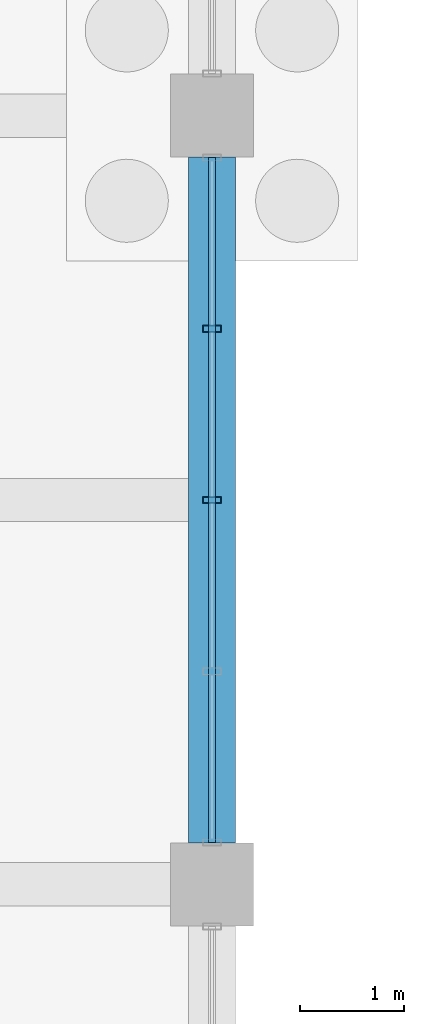
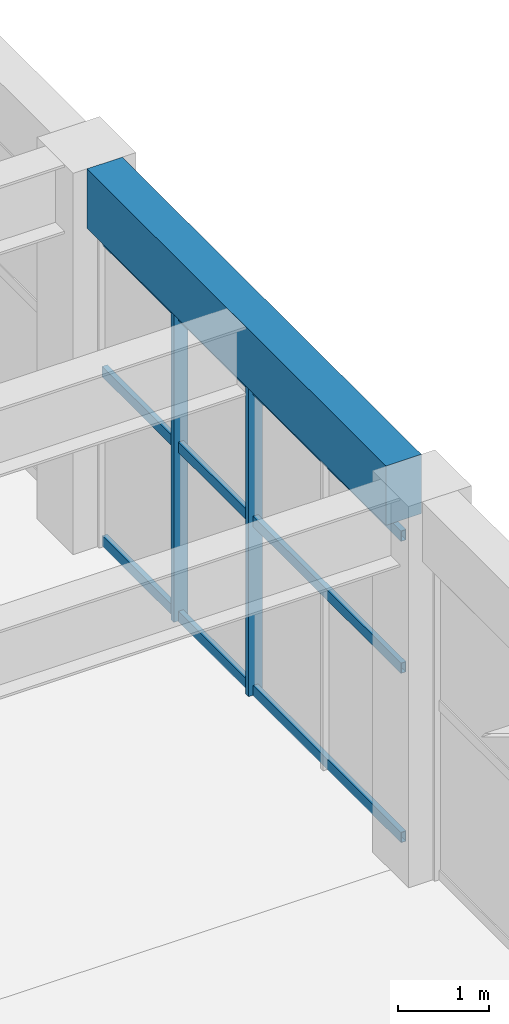
# One storey, part 77 of 140: 5 members, 1 beam, 1 element without a shape of its own.
"""IFC4 building model written with IfcOpenShell, lengths in metres."""

from ifc_helpers import new_model, si_unit, direction, frame, origin, origin_2d, place, context, subcontext, project, spatial, rectangle, hollow_rectangle, extrude, material, material_profile, profile_set, type_object, element, aggregate, save


model = new_model("IFC4")

# Units and contexts
model_context = context("Model", 3, precision=1e-05, world=origin(), true_north=direction((0.0, 1.0)))
body_context = subcontext(model_context, "Body", "Model", "MODEL_VIEW")
ifc_project = project(units=[si_unit("LENGTHUNIT", "METRE"), si_unit("AREAUNIT", "SQUARE_METRE"), si_unit("VOLUMEUNIT", "CUBIC_METRE"), si_unit("PLANEANGLEUNIT", "RADIAN"), si_unit("MASSUNIT", "GRAM", prefix="KILO")], contexts=[model_context])

# Site, building, storey
site_placement = place(None, origin())
site = spatial("IfcSite", under=ifc_project, at=site_placement, CompositionType="ELEMENT")
building_placement = place(site_placement, origin())
building = spatial("IfcBuilding", under=site, at=building_placement, Name="Cimatlan Art Gallery", CompositionType="ELEMENT")
storey_placement = place(building_placement, origin())
storey = spatial("IfcBuildingStorey", under=building, at=storey_placement, Name="L00", CompositionType="ELEMENT", Elevation=0.0)

# Beam
ifc_material_1 = material(Name="Concrete C40/50", Category="concrete")
ifc_material_profile_1 = material_profile(ifc_material_1, rectangle(XDim=0.449951171875, YDim=0.800048828125, at=origin_2d()), Name="RC450X800")
ifc_profile_set_1 = profile_set([ifc_material_profile_1], Name="Concrete C40/50")
beam_type = type_object("IfcBeamType", Name="BM-RC-450X800", PredefinedType="BEAM", material=ifc_profile_set_1)
beam_placement = place(storey_placement, frame((99.199951171875, 76.10009765625, 4.735107421875), z_axis=(0.0, 1.0, 0.0), x_axis=(-1.0, 0.0, 0.0)))
element("IfcBeam", 1, at=beam_placement, inside=storey, type_object=beam_type, Name="BM-Y-L00-12-10", PredefinedType="BEAM", context=body_context, shape_type="SweptSolid", body=[
    extrude(rectangle(XDim=0.449951171875, YDim=0.800048828125, at=origin_2d()), origin(), (0.0, 0.0, 1.0), 6.599853515625),
])

# Curtain wall, members
ifc_material_2 = material(Name="Anodised bronze unitised curtain wall")
curtain_wall_type = type_object("IfcCurtainWallType", Name="CW-V-06592X04178-B4", PredefinedType="NOTDEFINED", material=ifc_material_2)
curtain_wall_placement = place(storey_placement, origin())
curtain_wall = element("IfcCurtainWall", 2, at=curtain_wall_placement, inside=storey, type_object=curtain_wall_type, Name="CW-L00-11-10-E", PredefinedType="NOTDEFINED")
ifc_material_3 = material(Name="Anodised bronze aluminium 6063-T6", Category="aluminium")
ifc_material_profile_2 = material_profile(ifc_material_3, hollow_rectangle(XDim=0.06494140625, YDim=0.179931640625, WallThickness=0.00390625, at=origin_2d()), Name="ALU65X180X4")
ifc_profile_set_2 = profile_set([ifc_material_profile_2], Name="Anodised bronze aluminium 6063-T6")
member_type_1 = type_object("IfcMemberType", Name="CW-MUL-180", PredefinedType="MULLION", material=ifc_profile_set_2)
member_1_placement = place(storey_placement, frame((99.199951171875, 81.048095703125, 0.0), z_axis=(0.0, 0.0, 1.0), x_axis=(0.0, 1.0, 0.0)))
member_1 = element("IfcMember", 3, at=member_1_placement, type_object=member_type_1, Name="CW-L00-11-10-E-M2", PredefinedType="MULLION", context=body_context, shape_type="SweptSolid", body=[
    extrude(hollow_rectangle(XDim=0.06494140625, YDim=0.179931640625, WallThickness=0.00390625, at=origin_2d()), origin(), (0.0, 0.0, 1.0), 4.177978515625),
])
member_2_placement = place(storey_placement, frame((99.199951171875, 79.39990234375, 0.0), z_axis=(0.0, 0.0, 1.0), x_axis=(0.0, 1.0, 0.0)))
member_2 = element("IfcMember", 4, at=member_2_placement, type_object=member_type_1, Name="CW-L00-11-10-E-M3", PredefinedType="MULLION", context=body_context, shape_type="SweptSolid", body=[
    extrude(hollow_rectangle(XDim=0.06494140625, YDim=0.179931640625, WallThickness=0.00390625, at=origin_2d()), origin(), (0.0, 0.0, 1.0), 4.177978515625),
])
ifc_material_profile_3 = material_profile(ifc_material_3, hollow_rectangle(XDim=0.06494140625, YDim=0.139892578125, WallThickness=0.00390625, at=origin_2d()), Name="ALU65X140X4")
ifc_profile_set_3 = profile_set([ifc_material_profile_3], Name="Anodised bronze aluminium 6063-T6")
member_type_2 = type_object("IfcMemberType", Name="CW-TRN-140", PredefinedType="USERDEFINED", material=ifc_profile_set_3)
member_3_placement = place(storey_placement, frame((99.199951171875, 82.696044921875, 0.06005859375), z_axis=(0.0, -1.0, 0.0), x_axis=(1.0, 0.0, 0.0)))
member_3 = element("IfcMember", 5, at=member_3_placement, type_object=member_type_2, Name="CW-L00-11-10-E-T1", ObjectType="TRANSOM", PredefinedType="USERDEFINED", context=body_context, shape_type="SweptSolid", body=[
    extrude(hollow_rectangle(XDim=0.06494140625, YDim=0.139892578125, WallThickness=0.00390625, at=origin_2d()), origin(), (0.0, 0.0, 1.0), 6.592041015625),
])
member_4_placement = place(storey_placement, frame((99.199951171875, 82.696044921875, 2.339599609375), z_axis=(0.0, -1.0, 0.0), x_axis=(1.0, 0.0, 0.0)))
member_4 = element("IfcMember", 6, at=member_4_placement, type_object=member_type_2, Name="CW-L00-11-10-E-T2", ObjectType="TRANSOM", PredefinedType="USERDEFINED", context=body_context, shape_type="SweptSolid", body=[
    extrude(hollow_rectangle(XDim=0.06494140625, YDim=0.139892578125, WallThickness=0.00390625, at=origin_2d()), origin(), (0.0, 0.0, 1.0), 6.592041015625),
])
member_5_placement = place(storey_placement, frame((99.199951171875, 82.696044921875, 4.117919921875), z_axis=(0.0, -1.0, 0.0), x_axis=(1.0, 0.0, 0.0)))
member_5 = element("IfcMember", 7, at=member_5_placement, type_object=member_type_2, Name="CW-L00-11-10-E-T3", ObjectType="TRANSOM", PredefinedType="USERDEFINED", context=body_context, shape_type="SweptSolid", body=[
    extrude(hollow_rectangle(XDim=0.06494140625, YDim=0.139892578125, WallThickness=0.00390625, at=origin_2d()), origin(), (0.0, 0.0, 1.0), 6.592041015625),
])
aggregate(curtain_wall, [member_1, member_2, member_3, member_4, member_5])

save(model, "model.ifc")
